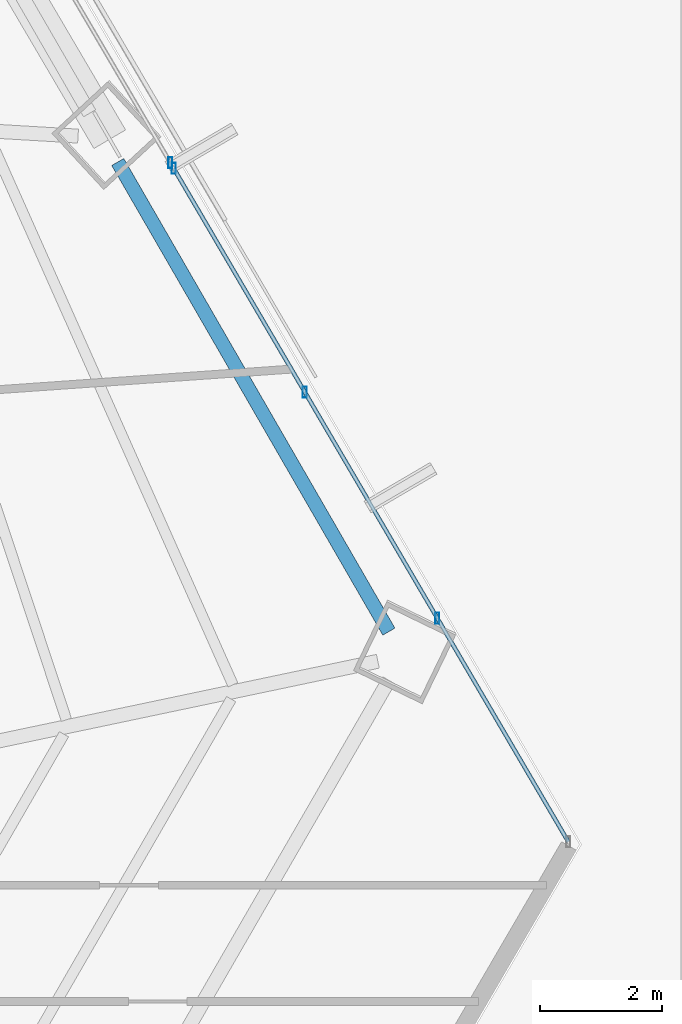
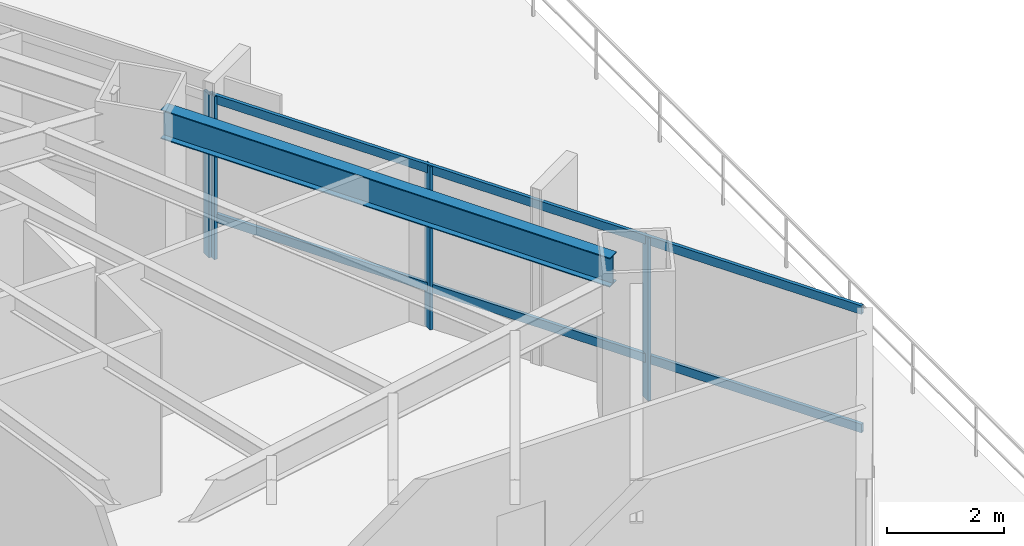
# One storey, part 18 of 35: 6 members, 1 beam, 2 elements without a shape of their own.
"""IFC4 building model written with IfcOpenShell, lengths in metres."""

from ifc_helpers import new_model, si_unit, direction, frame, origin, origin_2d, place, context, subcontext, project, spatial, hollow_rectangle, i_section, extrude, source, transform, mapped, material, material_profile, profile_set, type_object, type_shapes, element, aggregate, save


model = new_model("IFC4")

# Units and contexts
model_context = context("Model", 3, precision=1e-05, world=origin(), true_north=direction((0.0, 1.0)))
body_context = subcontext(model_context, "Body", "Model", "MODEL_VIEW")
ifc_project = project(units=[si_unit("LENGTHUNIT", "METRE"), si_unit("AREAUNIT", "SQUARE_METRE"), si_unit("VOLUMEUNIT", "CUBIC_METRE"), si_unit("PLANEANGLEUNIT", "RADIAN"), si_unit("MASSUNIT", "GRAM", prefix="KILO")], contexts=[model_context])

# Site, building, storey
site_placement = place(None, origin())
site = spatial("IfcSite", under=ifc_project, at=site_placement, CompositionType="ELEMENT")
building_placement = place(site_placement, origin())
building = spatial("IfcBuilding", under=site, at=building_placement, Name="Caelisora Broadcast Tower", CompositionType="ELEMENT")
storey_placement = place(building_placement, frame((0.0, 0.0, 27.60009765625)))
storey = spatial("IfcBuildingStorey", under=building, at=storey_placement, Name="L06", CompositionType="ELEMENT", Elevation=27.60009765625)

# Beam
ifc_material_1 = material(Name="Steel Grade 350 (AS/NZS 3679.1)", Category="steel")
ifc_material_profile_1 = material_profile(ifc_material_1, i_section(OverallWidth=0.22900390625, OverallDepth=0.611572265625, WebThickness=0.011962890625, FlangeThickness=0.01953125, at=origin_2d()), Name="Steel Grade 350 (AS/NZS 3679.1)")
ifc_profile_set_1 = profile_set([ifc_material_profile_1], Name="Steel Grade 350 (AS/NZS 3679.1)")
beam_type = type_object("IfcBeamType", Name="PG03", PredefinedType="BEAM", material=ifc_profile_set_1)
shared_shape_1 = source(origin(), body_context, "Body", "SweptSolid", [
    extrude(i_section(OverallWidth=0.22900390625, OverallDepth=0.611572265625, WebThickness=0.011962890625, FlangeThickness=0.01953125, at=origin_2d()), origin(), (0.0, 0.0, 1.0), 8.867431640625),
])
type_shapes(beam_type, [shared_shape_1])
beam_placement = place(storey_placement, frame((61.67578125, 21.247802734375, 3.093994140625), z_axis=(-0.500009235922, 0.866020071357, 0.0), x_axis=(-0.866020071357, -0.500009235922, 0.0)))
element("IfcBeam", 1, at=beam_placement, inside=storey, type_object=beam_type, Name="L06 beam PG03", PredefinedType="BEAM", context=body_context, shape_type="MappedRepresentation", body=[
    mapped(shared_shape_1, transform((0.0, 0.0, 0.0), scale=1.0)),
])

# Curtain wall, member
ifc_material_2 = material(Name="Unitised Aluminium Insulated Shadow-Box Spandrel Curtain Wall", Category="aluminium")
curtain_wall_type_1 = type_object("IfcCurtainWallType", Name="CW-SP1", PredefinedType="NOTDEFINED", material=ifc_material_2)
curtain_wall_1_placement = place(storey_placement, origin())
curtain_wall_1 = element("IfcCurtainWall", 2, at=curtain_wall_1_placement, inside=storey, type_object=curtain_wall_type_1, Name="L06 curtain wall CW-SP1", PredefinedType="NOTDEFINED")
ifc_material_3 = material(Name="Aluminium 6063-T6 Anodised Terracotta Bronze", Category="aluminium")
ifc_material_profile_2 = material_profile(ifc_material_3, hollow_rectangle(XDim=0.06494140625, YDim=0.179931640625, WallThickness=0.00341796875, at=origin_2d()), Name="Aluminium 6063-T6 Anodised Terracotta Bronze")
ifc_profile_set_2 = profile_set([ifc_material_profile_2], Name="Aluminium 6063-T6 Anodised Terracotta Bronze")
member_type_1 = type_object("IfcMemberType", Name="CWM-02", PredefinedType="MULLION", material=ifc_profile_set_2)
shared_shape_2 = source(origin(), body_context, "Body", "SweptSolid", [
    extrude(hollow_rectangle(XDim=0.06494140625, YDim=0.179931640625, WallThickness=0.00341796875, at=origin_2d()), origin(), (0.0, 0.0, 1.0), 3.39990234375),
])
type_shapes(member_type_1, [shared_shape_2])
member_1_placement = place(storey_placement, frame((58.10205078125, 28.91650390625, 0.0), z_axis=(0.0, 0.0, 1.0), x_axis=(1.0, 0.0, 0.0)))
member_1 = element("IfcMember", 3, at=member_1_placement, type_object=member_type_1, Name="L06-CW-B02 mullion #3", PredefinedType="MULLION", context=body_context, shape_type="MappedRepresentation", body=[
    mapped(shared_shape_2, transform((0.0, 0.0, 0.0), scale=1.0)),
])
aggregate(curtain_wall_1, [member_1])

# Curtain wall, members
ifc_material_4 = material(Name="Unitised Aluminium and Low-E Glass Curtain Wall", Category="glass")
curtain_wall_type_2 = type_object("IfcCurtainWallType", Name="CW-Z1", PredefinedType="NOTDEFINED", material=ifc_material_4)
curtain_wall_2_placement = place(storey_placement, origin())
curtain_wall_2 = element("IfcCurtainWall", 4, at=curtain_wall_2_placement, inside=storey, type_object=curtain_wall_type_2, Name="L06 curtain wall CW-Z1", PredefinedType="NOTDEFINED")
member_2_placement = place(storey_placement, frame((58.15771484375, 28.82177734375, 0.0), z_axis=(0.0, 0.0, 1.0), x_axis=(1.0, 0.0, 0.0)))
member_2 = element("IfcMember", 5, at=member_2_placement, type_object=member_type_1, Name="L06-CW-B03 mullion #0", PredefinedType="MULLION", context=body_context, shape_type="MappedRepresentation", body=[
    mapped(shared_shape_2, transform((0.0, 0.0, 0.0), scale=1.0)),
])
member_3_placement = place(storey_placement, frame((60.30029296875, 25.16552734375, 0.0), z_axis=(0.0, 0.0, 1.0), x_axis=(1.0, 0.0, 0.0)))
member_3 = element("IfcMember", 6, at=member_3_placement, type_object=member_type_1, Name="L06-CW-B03 mullion #1", PredefinedType="MULLION", context=body_context, shape_type="MappedRepresentation", body=[
    mapped(shared_shape_2, transform((0.0, 0.0, 0.0), scale=1.0)),
])
member_4_placement = place(storey_placement, frame((62.468017578125, 21.46630859375, 0.0), z_axis=(0.0, 0.0, 1.0), x_axis=(1.0, 0.0, 0.0)))
member_4 = element("IfcMember", 7, at=member_4_placement, type_object=member_type_1, Name="L06-CW-B03 mullion #2", PredefinedType="MULLION", context=body_context, shape_type="MappedRepresentation", body=[
    mapped(shared_shape_2, transform((0.0, 0.0, 0.0), scale=1.0)),
])
ifc_material_profile_3 = material_profile(ifc_material_3, hollow_rectangle(XDim=0.06494140625, YDim=0.179931640625, WallThickness=0.00341796875, at=origin_2d()), Name="Aluminium 6063-T6 Anodised Terracotta Bronze")
ifc_profile_set_3 = profile_set([ifc_material_profile_3], Name="Aluminium 6063-T6 Anodised Terracotta Bronze")
member_type_2 = type_object("IfcMemberType", Name="CWT-01", PredefinedType="USERDEFINED", material=ifc_profile_set_3)
shared_shape_3 = source(origin(), body_context, "Body", "SweptSolid", [
    extrude(hollow_rectangle(XDim=0.06494140625, YDim=0.179931640625, WallThickness=0.00341796875, at=origin_2d()), origin(), (0.0, 0.0, 1.0), 12.76318359375),
])
type_shapes(member_type_2, [shared_shape_3])
member_5_placement = place(storey_placement, frame((58.15771484375, 28.82177734375, 0.849853515625), z_axis=(0.505587438889, -0.862775371483, 0.0), x_axis=(0.862775371483, 0.505587438889, 0.0)))
member_5 = element("IfcMember", 8, at=member_5_placement, type_object=member_type_2, Name="L06-CW-B03 transom #1", ObjectType="TRANSOM", PredefinedType="USERDEFINED", context=body_context, shape_type="MappedRepresentation", body=[
    mapped(shared_shape_3, transform((0.0, 0.0, 0.0), scale=1.0)),
])
member_6_placement = place(storey_placement, frame((58.15771484375, 28.82177734375, 3.31982421875), z_axis=(0.505587438889, -0.862775371483, 0.0), x_axis=(0.862775371483, 0.505587438889, 0.0)))
member_6 = element("IfcMember", 9, at=member_6_placement, type_object=member_type_2, Name="L06-CW-B03 transom #2", ObjectType="TRANSOM", PredefinedType="USERDEFINED", context=body_context, shape_type="MappedRepresentation", body=[
    mapped(shared_shape_3, transform((0.0, 0.0, 0.0), scale=1.0)),
])
aggregate(curtain_wall_2, [member_2, member_3, member_4, member_5, member_6])

save(model, "model.ifc")
